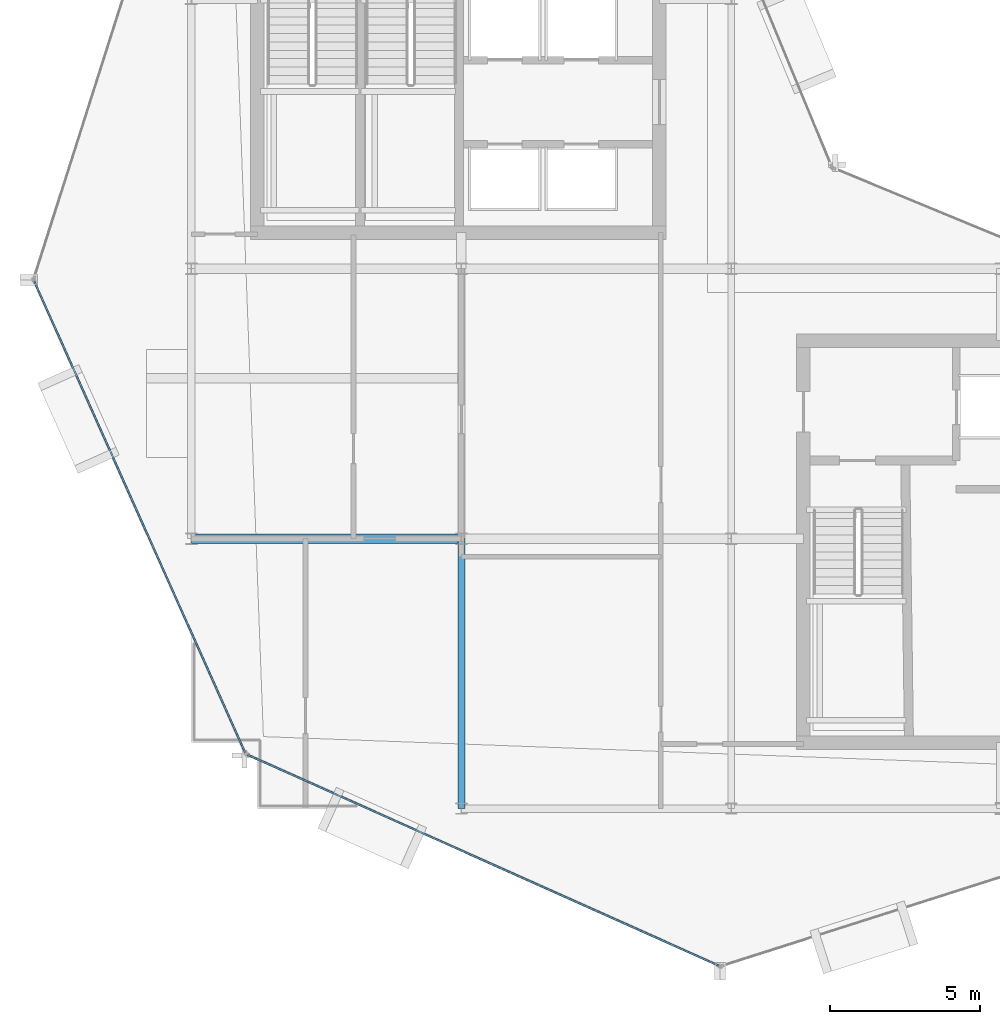
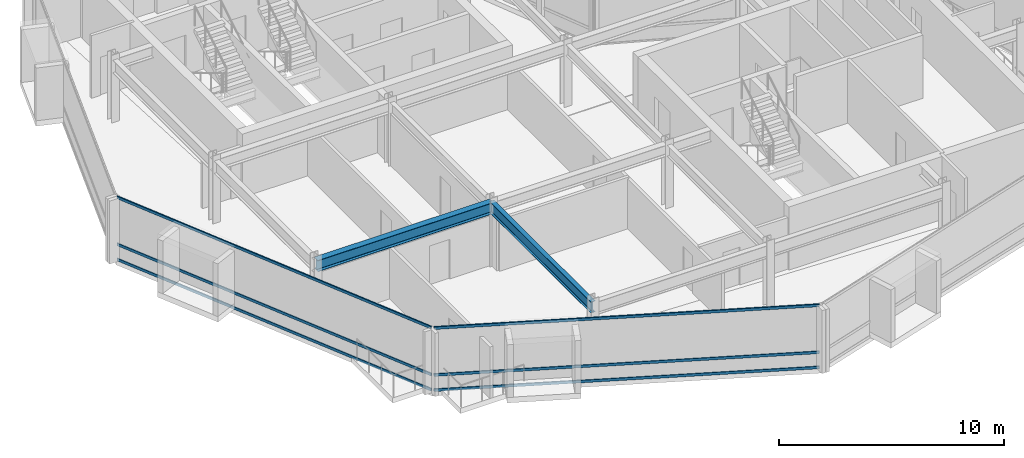
# One storey, part 3 of 19: 6 members, 2 beams, 2 elements without a shape of their own.
"""IFC4 building model written with IfcOpenShell, lengths in metres."""

from ifc_helpers import new_model, si_unit, direction, frame, origin, origin_2d, place, context, subcontext, project, spatial, hollow_rectangle, i_section, extrude, material, layer, layer_set, material_profile, profile_set, type_object, element, aggregate, save


model = new_model("IFC4")

# Units and contexts
model_context = context("Model", 3, precision=1e-05, world=origin(), true_north=direction((0.0, 1.0)))
body_context = subcontext(model_context, "Body", "Model", "MODEL_VIEW")
ifc_project = project(units=[si_unit("LENGTHUNIT", "METRE"), si_unit("AREAUNIT", "SQUARE_METRE"), si_unit("VOLUMEUNIT", "CUBIC_METRE"), si_unit("PLANEANGLEUNIT", "RADIAN"), si_unit("MASSUNIT", "GRAM", prefix="KILO")], contexts=[model_context])

# Site, building, storey
site_placement = place(None, origin())
site = spatial("IfcSite", under=ifc_project, at=site_placement, CompositionType="ELEMENT")
building_placement = place(site_placement, origin())
building = spatial("IfcBuilding", under=site, at=building_placement, Name="Solvaryn Broadcast Tower", CompositionType="ELEMENT")
storey_placement = place(building_placement, frame((0.0, 0.0, 270.39990234375)))
storey = spatial("IfcBuildingStorey", under=building, at=storey_placement, Name="L68", CompositionType="ELEMENT", Elevation=270.39990234375)

# Beams
ifc_material_1 = material(Name="Steel ASTM A992 Grade 50", Category="steel")
ifc_material_profile_1 = material_profile(ifc_material_1, i_section(OverallWidth=0.323974609375, OverallDepth=0.611083984375, WebThickness=0.0126953125, FlangeThickness=0.01904296875, FilletRadius=0.014892578125, at=origin_2d()))
ifc_profile_set_1 = profile_set([ifc_material_profile_1], Name="Steel ASTM A992 Grade 50")
beam_type_1 = type_object("IfcBeamType", Name="BM-B1-W24X104", PredefinedType="BEAM", material=ifc_profile_set_1)
beam_1_placement = place(storey_placement, frame((9.0, 18.0, 3.114501953125), z_axis=(1.0, 0.0, 0.0), x_axis=(0.0, 1.0, 0.0)))
element("IfcBeam", 1, at=beam_1_placement, inside=storey, type_object=beam_type_1, Name="L68 Primary Beam X (9-18 @ Y=18)", PredefinedType="BEAM", context=body_context, shape_type="SweptSolid", body=[
    extrude(i_section(OverallWidth=0.323974609375, OverallDepth=0.611083984375, WebThickness=0.0126953125, FlangeThickness=0.01904296875, FilletRadius=0.014892578125, at=origin_2d()), origin(), (0.0, 0.0, 1.0), 9.0),
])
ifc_material_2 = material(Name="Steel ASTM A992 Grade 50", Category="steel")
ifc_material_profile_2 = material_profile(ifc_material_2, i_section(OverallWidth=0.22802734375, OverallDepth=0.60791015625, WebThickness=0.01123046875, FlangeThickness=0.017333984375, FilletRadius=0.014892578125, at=origin_2d()))
ifc_profile_set_2 = profile_set([ifc_material_profile_2], Name="Steel ASTM A992 Grade 50")
beam_type_2 = type_object("IfcBeamType", Name="BM-B2-W24X76", PredefinedType="BEAM", material=ifc_profile_set_2)
beam_2_placement = place(storey_placement, frame((18.0, 9.0, 3.1162109375), z_axis=(0.0, 1.0, 0.0), x_axis=(-1.0, 0.0, 0.0)))
element("IfcBeam", 2, at=beam_2_placement, inside=storey, type_object=beam_type_2, Name="L68 Primary Beam Y (9-18 @ X=18)", PredefinedType="BEAM", context=body_context, shape_type="SweptSolid", body=[
    extrude(i_section(OverallWidth=0.22802734375, OverallDepth=0.60791015625, WebThickness=0.01123046875, FlangeThickness=0.017333984375, FilletRadius=0.014892578125, at=origin_2d()), origin(), (0.0, 0.0, 1.0), 9.0),
])

# Curtain wall, members
ifc_material_3 = material(Name="Aluminium and Terracotta Unitised Curtain Wall", Category="masonry")
ifc_layer = layer(ifc_material_3, 0.199951171875)
ifc_layer_set = layer_set([ifc_layer], Name="CW-SYS2-LOWMID")
curtain_wall_type = type_object("IfcCurtainWallType", Name="CW-SYS2-LOWMID", PredefinedType="NOTDEFINED", material=ifc_layer_set)
curtain_wall_1_placement = place(storey_placement, origin())
curtain_wall_1 = element("IfcCurtainWall", 3, at=curtain_wall_1_placement, inside=storey, type_object=curtain_wall_type, Name="L68 Curtain Wall DR2", PredefinedType="NOTDEFINED")
ifc_material_4 = material(Name="Anodised Aluminium 6063-T6", Category="aluminium")
ifc_material_profile_3 = material_profile(ifc_material_4, hollow_rectangle(XDim=0.06494140625, YDim=0.14990234375, WallThickness=0.00390625, InnerFilletRadius=0.00390625, OuterFilletRadius=0.008056640625, at=origin_2d()))
ifc_profile_set_3 = profile_set([ifc_material_profile_3], Name="Anodised Aluminium 6063-T6")
member_type = type_object("IfcMemberType", Name="CW-TRN-150", PredefinedType="USERDEFINED", material=ifc_profile_set_3)
member_1_placement = place(storey_placement, frame((3.762451171875, 26.581298828125, 0.030029296875), z_axis=(0.408468080937, -0.912772604133, 0.0), x_axis=(0.912772604133, 0.408468080937, 0.0)))
member_1 = element("IfcMember", 4, at=member_1_placement, type_object=member_type, Name="CWS2 transom 1.1", ObjectType="TRANSOM", PredefinedType="USERDEFINED", context=body_context, shape_type="SweptSolid", body=[
    extrude(hollow_rectangle(XDim=0.06494140625, YDim=0.14990234375, WallThickness=0.00390625, InnerFilletRadius=0.00390625, OuterFilletRadius=0.008056640625, at=origin_2d()), origin(), (0.0, 0.0, 1.0), 17.210693359375),
])
member_2_placement = place(storey_placement, frame((3.762451171875, 26.581298828125, 0.85009765625), z_axis=(0.408468080937, -0.912772604133, 0.0), x_axis=(0.912772604133, 0.408468080937, 0.0)))
member_2 = element("IfcMember", 5, at=member_2_placement, type_object=member_type, Name="CWS2 transom 1.2", ObjectType="TRANSOM", PredefinedType="USERDEFINED", context=body_context, shape_type="SweptSolid", body=[
    extrude(hollow_rectangle(XDim=0.06494140625, YDim=0.14990234375, WallThickness=0.00390625, InnerFilletRadius=0.00390625, OuterFilletRadius=0.008056640625, at=origin_2d()), origin(), (0.0, 0.0, 1.0), 17.210693359375),
])
member_3_placement = place(storey_placement, frame((3.762451171875, 26.581298828125, 3.39013671875), z_axis=(0.408468080937, -0.912772604133, 0.0), x_axis=(0.912772604133, 0.408468080937, 0.0)))
member_3 = element("IfcMember", 6, at=member_3_placement, type_object=member_type, Name="CWS2 transom 1.3", ObjectType="TRANSOM", PredefinedType="USERDEFINED", context=body_context, shape_type="SweptSolid", body=[
    extrude(hollow_rectangle(XDim=0.06494140625, YDim=0.14990234375, WallThickness=0.00390625, InnerFilletRadius=0.00390625, OuterFilletRadius=0.008056640625, at=origin_2d()), origin(), (0.0, 0.0, 1.0), 17.210693359375),
])
aggregate(curtain_wall_1, [member_1, member_2, member_3])

curtain_wall_2_placement = place(storey_placement, origin())
curtain_wall_2 = element("IfcCurtainWall", 7, at=curtain_wall_2_placement, inside=storey, type_object=curtain_wall_type, Name="L68 Curtain Wall DR3", PredefinedType="NOTDEFINED")
member_4_placement = place(storey_placement, frame((10.871826171875, 10.79248046875, 0.030029296875), z_axis=(0.912772604133, -0.408468080937, 0.0), x_axis=(0.408468080937, 0.912772604133, 0.0)))
member_4 = element("IfcMember", 8, at=member_4_placement, type_object=member_type, Name="CWS2 transom 1.1", ObjectType="TRANSOM", PredefinedType="USERDEFINED", context=body_context, shape_type="SweptSolid", body=[
    extrude(hollow_rectangle(XDim=0.06494140625, YDim=0.14990234375, WallThickness=0.00390625, InnerFilletRadius=0.00390625, OuterFilletRadius=0.008056640625, at=origin_2d()), origin(), (0.0, 0.0, 1.0), 17.210693359375),
])
member_5_placement = place(storey_placement, frame((10.871826171875, 10.79248046875, 0.85009765625), z_axis=(0.912772604133, -0.408468080937, 0.0), x_axis=(0.408468080937, 0.912772604133, 0.0)))
member_5 = element("IfcMember", 9, at=member_5_placement, type_object=member_type, Name="CWS2 transom 1.2", ObjectType="TRANSOM", PredefinedType="USERDEFINED", context=body_context, shape_type="SweptSolid", body=[
    extrude(hollow_rectangle(XDim=0.06494140625, YDim=0.14990234375, WallThickness=0.00390625, InnerFilletRadius=0.00390625, OuterFilletRadius=0.008056640625, at=origin_2d()), origin(), (0.0, 0.0, 1.0), 17.210693359375),
])
member_6_placement = place(storey_placement, frame((10.871826171875, 10.79248046875, 3.39013671875), z_axis=(0.912772604133, -0.408468080937, 0.0), x_axis=(0.408468080937, 0.912772604133, 0.0)))
member_6 = element("IfcMember", 10, at=member_6_placement, type_object=member_type, Name="CWS2 transom 1.3", ObjectType="TRANSOM", PredefinedType="USERDEFINED", context=body_context, shape_type="SweptSolid", body=[
    extrude(hollow_rectangle(XDim=0.06494140625, YDim=0.14990234375, WallThickness=0.00390625, InnerFilletRadius=0.00390625, OuterFilletRadius=0.008056640625, at=origin_2d()), origin(), (0.0, 0.0, 1.0), 17.210693359375),
])
aggregate(curtain_wall_2, [member_4, member_5, member_6])

save(model, "model.ifc")
